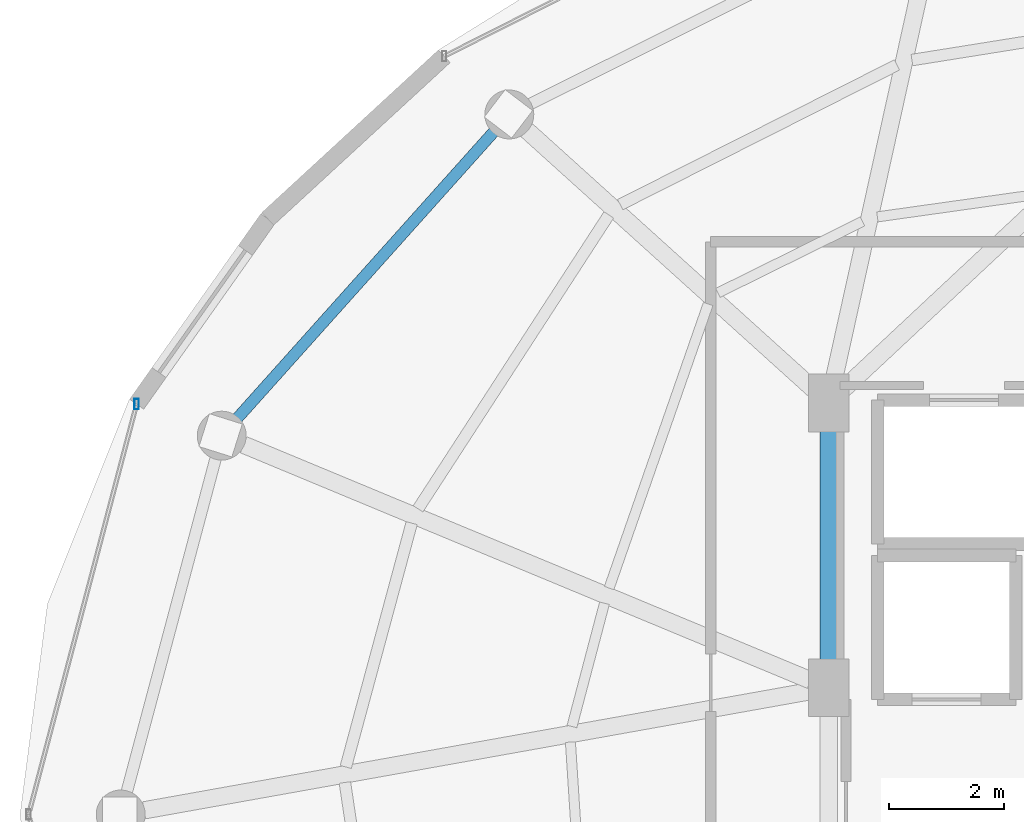
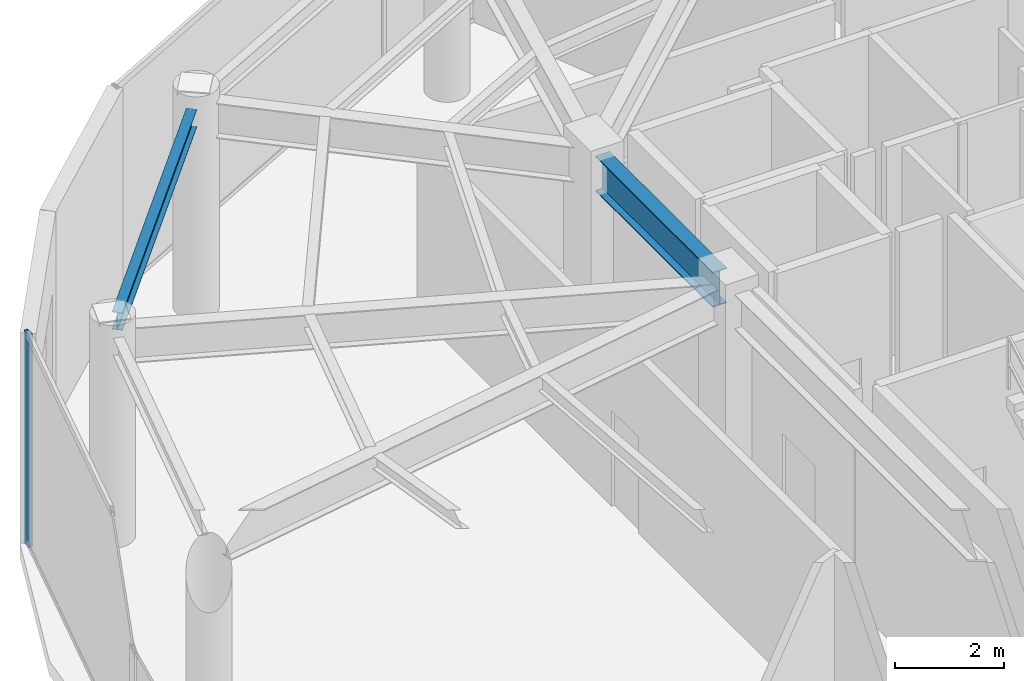
# One storey, part 8 of 24: 2 beams, 1 member, 1 element without a shape of its own.
"""IFC4 building model written with IfcOpenShell, lengths in metres."""

from ifc_helpers import new_model, si_unit, direction, frame, origin, origin_2d, place, context, subcontext, project, spatial, hollow_rectangle, i_section, extrude, material, material_profile, profile_set, type_object, element, aggregate, save


model = new_model("IFC4")

# Units and contexts
model_context = context("Model", 3, precision=1e-05, world=origin(), true_north=direction((0.0, 1.0)))
body_context = subcontext(model_context, "Body", "Model", "MODEL_VIEW")
ifc_project = project(units=[si_unit("LENGTHUNIT", "METRE"), si_unit("AREAUNIT", "SQUARE_METRE"), si_unit("VOLUMEUNIT", "CUBIC_METRE"), si_unit("PLANEANGLEUNIT", "RADIAN"), si_unit("MASSUNIT", "GRAM", prefix="KILO")], contexts=[model_context])

# Site, building, storey
site_placement = place(None, origin())
site = spatial("IfcSite", under=ifc_project, at=site_placement, CompositionType="ELEMENT")
building_placement = place(site_placement, origin())
building = spatial("IfcBuilding", under=site, at=building_placement, Name="Vorneva Point Tower", CompositionType="ELEMENT")
storey_placement = place(building_placement, frame((0.0, 0.0, 290.39990234375)))
storey = spatial("IfcBuildingStorey", under=building, at=storey_placement, Name="L78", CompositionType="ELEMENT", Elevation=290.39990234375)

# Beams
ifc_material_1 = material(Name="Steel S355", Category="steel")
ifc_material_profile_1 = material_profile(ifc_material_1, i_section(OverallWidth=0.300048828125, OverallDepth=0.7880859375, WebThickness=0.014404296875, FlangeThickness=0.02197265625, at=origin_2d()), Name="80Sh1")
ifc_profile_set_1 = profile_set([ifc_material_profile_1], Name="Steel S355")
beam_type_1 = type_object("IfcBeamType", Name="BM-GRD-80Sh1", PredefinedType="USERDEFINED", material=ifc_profile_set_1)
beam_1_placement = place(storey_placement, frame((27.25, 28.52001953125, 4.326171875), z_axis=(0.0, 1.0, 0.0), x_axis=(-1.0, 0.0, 0.0)))
element("IfcBeam", 1, at=beam_1_placement, inside=storey, type_object=beam_type_1, Name="L78 Core Tie Girder CT2", ObjectType="GIRDER", PredefinedType="USERDEFINED", context=body_context, shape_type="SweptSolid", body=[
    extrude(i_section(OverallWidth=0.300048828125, OverallDepth=0.7880859375, WebThickness=0.014404296875, FlangeThickness=0.02197265625, at=origin_2d()), origin(), (0.0, 0.0, 1.0), 4.31005859375),
])
ifc_material_profile_2 = material_profile(ifc_material_1, i_section(OverallWidth=0.198974609375, OverallDepth=0.39599609375, WebThickness=0.007080078125, FlangeThickness=0.010986328125, at=origin_2d()), Name="40B1")
ifc_profile_set_2 = profile_set([ifc_material_profile_2], Name="Steel S355")
beam_type_2 = type_object("IfcBeamType", Name="BM-SPN-40B1", PredefinedType="SPANDREL", material=ifc_profile_set_2)
beam_2_placement = place(storey_placement, frame((21.427734375, 37.856689453125, 4.522216796875), z_axis=(-0.667108282638, -0.744960763554, 0.0), x_axis=(0.744960763554, -0.667108282638, 0.0)))
element("IfcBeam", 2, at=beam_2_placement, inside=storey, type_object=beam_type_2, Name="L78 Perimeter Spandrel Ring Beam 07", PredefinedType="SPANDREL", context=body_context, shape_type="SweptSolid", body=[
    extrude(i_section(OverallWidth=0.198974609375, OverallDepth=0.39599609375, WebThickness=0.007080078125, FlangeThickness=0.010986328125, at=origin_2d()), origin(), (0.0, 0.0, 1.0), 6.670166015625),
])

# Curtain wall, member
ifc_material_2 = material(Name="Pale anodised aluminium", Category="aluminium")
curtain_wall_type = type_object("IfcCurtainWallType", Name="CW-OBS-SYS", PredefinedType="NOTDEFINED", material=ifc_material_2)
curtain_wall_placement = place(storey_placement, origin())
curtain_wall = element("IfcCurtainWall", 3, at=curtain_wall_placement, inside=storey, type_object=curtain_wall_type, Name="L78 Unitised Curtain Wall CW-L78-R03", PredefinedType="NOTDEFINED")
ifc_material_profile_3 = material_profile(ifc_material_2, hollow_rectangle(XDim=0.074951171875, YDim=0.179931640625, WallThickness=0.00390625, at=origin_2d()), Name="AL-MUL 180x75x4")
ifc_profile_set_3 = profile_set([ifc_material_profile_3], Name="Pale anodised aluminium")
member_type = type_object("IfcMemberType", Name="CW-MUL-180", PredefinedType="MULLION", material=ifc_profile_set_3)
member_placement = place(storey_placement, frame((15.226318359375, 33.12939453125, -0.039794921875), z_axis=(0.0, 0.0, 1.0), x_axis=(1.0, 0.0, 0.0)))
member = element("IfcMember", 4, at=member_placement, type_object=member_type, Name="CW-L78-R03 Mullion 01", PredefinedType="MULLION", context=body_context, shape_type="SweptSolid", body=[
    extrude(hollow_rectangle(XDim=0.074951171875, YDim=0.179931640625, WallThickness=0.00390625, at=origin_2d()), origin(), (0.0, 0.0, 1.0), 4.789794921875),
])
aggregate(curtain_wall, [member])

save(model, "model.ifc")
